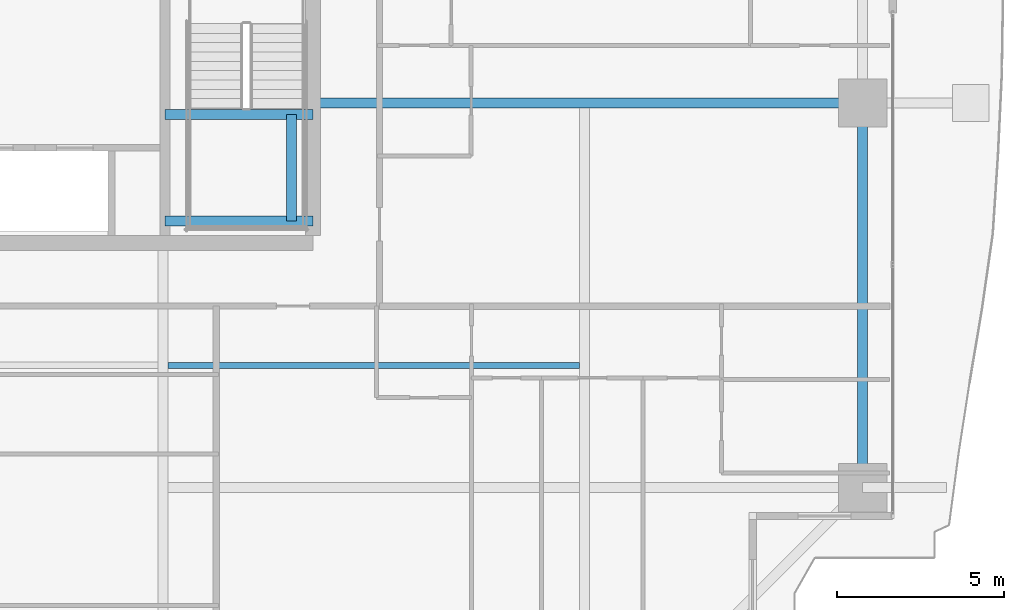
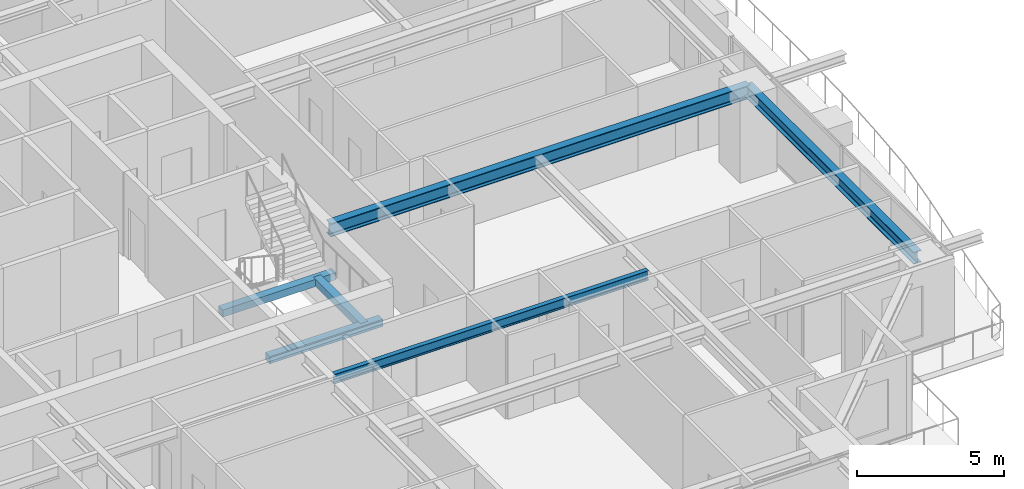
# One storey, part 14 of 39: 6 beams.
"""IFC4 building model written with IfcOpenShell, lengths in metres."""

import ifcopenshell
import ifcopenshell.guid

model = None  # the IFC model being written
_history = None  # IfcOwnerHistory: only IFC2X3 demands one
_inside = {}  # id of a spatial element -> (the spatial element, [elements in it])
_under = {}  # id of a project, library or spatial element -> (it, [spatial elements below it])
_declared = {}  # id of a project -> (the project, [libraries it declares])
_typed = {}  # id of a type object -> (the type object, [elements of that type])
_made_of = {}  # id of a material, layer set ... -> (it, [elements and type objects made of it])


def new_model(schema):
    """Start an empty IFC model of exactly this schema.

    Asked for "IFC4X3", IfcOpenShell would pick the latest addendum, in which some entities
    have other attributes; the version numbers below select the first issue.
    IFC2X3 requires an IfcOwnerHistory on every rooted entity: one is made here for all.
    """
    global model, _history
    if schema == "IFC4X3":
        model = ifcopenshell.file(schema_version=(4, 3, 0, 0))
    else:
        model = ifcopenshell.file(schema=schema)
    _inside.clear()
    _under.clear()
    _declared.clear()
    _typed.clear()
    _made_of.clear()
    _history = None
    if model.schema == "IFC2X3":
        org = make("IfcOrganization", Name="unknown")
        user = make(
            "IfcPersonAndOrganization",
            ThePerson=make("IfcPerson", FamilyName="unknown"),
            TheOrganization=org,
        )
        app = make(
            "IfcApplication",
            ApplicationDeveloper=org,
            Version="unknown",
            ApplicationFullName="unknown",
            ApplicationIdentifier="unknown",
        )
        _history = make(
            "IfcOwnerHistory",
            OwningUser=user,
            OwningApplication=app,
            ChangeAction="ADDED",
            CreationDate=0,
        )
    return model


def make(cls, **values):
    """One entity of the class cls with the attributes given. An attribute that is None is left unset."""
    return model.create_entity(
        cls, **{name: value for name, value in values.items() if value is not None}
    )


def rooted(cls, **values):
    """An entity with a GlobalId (a new one), such as an element, a storey or a relation."""
    return make(cls, GlobalId=ifcopenshell.guid.new(), OwnerHistory=_history, **values)


def si_unit(unit_type, name, prefix=None):
    """IfcSIUnit, for example si_unit("LENGTHUNIT", "METRE", prefix="MILLI")."""
    return make("IfcSIUnit", UnitType=unit_type, Prefix=prefix, Name=name)


def assignment(units):
    """IfcUnitAssignment: the units of a project."""
    return None if units is None else make("IfcUnitAssignment", Units=units)


def point(xyz):
    """IfcCartesianPoint."""
    return None if xyz is None else make("IfcCartesianPoint", Coordinates=xyz)


def direction(xyz):
    """IfcDirection."""
    return None if xyz is None else make("IfcDirection", DirectionRatios=xyz)


def frame(location, z_axis=None, x_axis=None):
    """IfcAxis2Placement3D, a coordinate frame: its origin and axes. An axis left out is left unset."""
    return make(
        "IfcAxis2Placement3D",
        Location=point(location),
        Axis=direction(z_axis),
        RefDirection=direction(x_axis),
    )


def frame_2d(location, x_axis=None):
    """IfcAxis2Placement2D, a coordinate frame in the plane: its origin and x axis."""
    return make(
        "IfcAxis2Placement2D", Location=point(location), RefDirection=direction(x_axis)
    )


def origin():
    """The frame at (0, 0, 0) with its axes left unset."""
    return frame((0.0, 0.0, 0.0))


def origin_2d():
    """The frame at (0, 0) in the plane with its x axis left unset."""
    return frame_2d((0.0, 0.0))


def place(relative_to, where):
    """IfcLocalPlacement: puts the frame where relative to a parent placement (None: the world)."""
    return make(
        "IfcLocalPlacement", PlacementRelTo=relative_to, RelativePlacement=where
    )


def context(
    kind, dimensions, precision=None, world=None, true_north=None, identifier=None
):
    """IfcGeometricRepresentationContext, for example the 3D "Model" context."""
    return make(
        "IfcGeometricRepresentationContext",
        ContextIdentifier=identifier,
        ContextType=kind,
        CoordinateSpaceDimension=dimensions,
        Precision=precision,
        WorldCoordinateSystem=world,
        TrueNorth=true_north,
    )


def subcontext(parent, identifier, kind, view, scale=None):
    """IfcGeometricRepresentationSubContext, for example "Body" below "Model"."""
    return make(
        "IfcGeometricRepresentationSubContext",
        ContextIdentifier=identifier,
        ContextType=kind,
        ParentContext=parent,
        TargetScale=scale,
        TargetView=view,
    )


def project(units=None, contexts=None):
    """IfcProject with its units and contexts."""
    return rooted(
        "IfcProject",
        Name="project",
        RepresentationContexts=contexts,
        UnitsInContext=assignment(units),
    )


def spatial(cls, under=None, at=None, **own):
    """A site, building, storey or space (cls), placed at a placement, below another one or the project."""
    s = rooted(cls, ObjectPlacement=at, **own)
    if under is not None:
        _under.setdefault(under.id(), (under, []))[1].append(s)
    return s


def profile(cls, at=None, kind="AREA", **sizes):
    """A parametric profile (cls). Its sizes go by their IFC names, for example OverallWidth=200.0."""
    return make(cls, ProfileType=kind, Position=at, **sizes)


def rectangle(**sizes):
    """IfcRectangleProfileDef."""
    return profile("IfcRectangleProfileDef", **sizes)


def i_section(**sizes):
    """IfcIShapeProfileDef."""
    return profile("IfcIShapeProfileDef", **sizes)


def extrude(swept, where, along, depth):
    """IfcExtrudedAreaSolid: the profile swept, set in the frame where, extruded along a direction by depth."""
    return make(
        "IfcExtrudedAreaSolid",
        SweptArea=swept,
        Position=where,
        ExtrudedDirection=direction(along),
        Depth=depth,
    )


def shape(context_of_items, identifier, shape_type, items):
    """IfcShapeRepresentation: the items that make up one representation, for example the "Body"."""
    return make(
        "IfcShapeRepresentation",
        ContextOfItems=context_of_items,
        RepresentationIdentifier=identifier,
        RepresentationType=shape_type,
        Items=items,
    )


def source(mapping_origin, context_of_items, identifier, shape_type, items):
    """IfcRepresentationMap: a shape defined once, which mapped items show again and again."""
    return make(
        "IfcRepresentationMap",
        MappingOrigin=mapping_origin,
        MappedRepresentation=shape(context_of_items, identifier, shape_type, items),
    )


def transform(
    local_origin,
    x_axis=None,
    y_axis=None,
    z_axis=None,
    scale=None,
    scale2=None,
    scale3=None,
    uniform=True,
):
    """IfcCartesianTransformationOperator3D, or its non-uniform kind. x_axis, y_axis, z_axis: its Axis1, 2, 3."""
    if uniform:
        return make(
            "IfcCartesianTransformationOperator3D",
            Axis1=direction(x_axis),
            Axis2=direction(y_axis),
            LocalOrigin=point(local_origin),
            Scale=scale,
            Axis3=direction(z_axis),
        )
    return make(
        "IfcCartesianTransformationOperator3DnonUniform",
        Axis1=direction(x_axis),
        Axis2=direction(y_axis),
        LocalOrigin=point(local_origin),
        Scale=scale,
        Axis3=direction(z_axis),
        Scale2=scale2,
        Scale3=scale3,
    )


def mapped(mapping_source, mapping_target):
    """IfcMappedItem: shows the shape of a source again, moved by a transform."""
    return make(
        "IfcMappedItem", MappingSource=mapping_source, MappingTarget=mapping_target
    )


def material(Name=None, Category=None):
    """IfcMaterial."""
    return make("IfcMaterial", Name=Name, Category=Category)


def material_profile(
    of_material, cross_section, Name=None, Category=None, Priority=None
):
    """IfcMaterialProfile: a cross section and its material."""
    return make(
        "IfcMaterialProfile",
        Name=Name,
        Material=of_material,
        Profile=cross_section,
        Priority=Priority,
        Category=Category,
    )


def profile_set(profiles, Name=None, composite=None):
    """IfcMaterialProfileSet."""
    return make(
        "IfcMaterialProfileSet",
        Name=Name,
        MaterialProfiles=profiles,
        CompositeProfile=composite,
    )


def made_of(thing, what):
    """Note that an element or type object is made of a material, layer set ...; save() writes the relation."""
    if what is not None:
        _made_of.setdefault(what.id(), (what, []))[1].append(thing)
    return thing


def type_object(cls, material=None, **own):
    """A type object (cls), such as IfcWallType, which elements share."""
    return made_of(rooted(cls, **own), material)


def element(
    cls,
    number,
    at=None,
    inside=None,
    cuts=None,
    type_object=None,
    material=None,
    context=None,
    identifier="Body",
    shape_type=None,
    held_by="IfcProductDefinitionShape",
    body=None,
    shapes=None,
    **own,
):
    """One element of the class cls, such as IfcWall. Its Tag is "e" and its number.

    at: its placement. inside: the storey or other place that contains it. cuts: it is an
    opening in that element (IfcRelVoidsElement). A single representation is given by context,
    identifier, shape_type and body (its items); several are given by shapes. held_by: the class
    of the entity that holds the representations. save() writes the other relations.
    """
    e = rooted(cls, Tag="e%d" % number, ObjectPlacement=at, **own)
    if body is not None:
        shapes = [shape(context, identifier, shape_type, body)]
    if shapes is not None:
        e.Representation = make(held_by, Representations=shapes)
    if inside is not None:
        _inside.setdefault(inside.id(), (inside, []))[1].append(e)
    if cuts is not None:
        rooted(
            "IfcRelVoidsElement", RelatingBuildingElement=cuts, RelatedOpeningElement=e
        )
    if type_object is not None:
        _typed.setdefault(type_object.id(), (type_object, []))[1].append(e)
    return made_of(e, material)


def aggregate(whole, parts):
    """IfcRelAggregates: a whole, such as a stair, and the parts it consists of."""
    return rooted("IfcRelAggregates", RelatingObject=whole, RelatedObjects=parts)


def save(model, path):
    """Write the relations noted so far, then the file.

    IfcRelAggregates (storeys below a building ...), IfcRelContainedInSpatialStructure (elements
    in a storey), IfcRelDefinesByType, IfcRelAssociatesMaterial and IfcRelDeclares: one each for
    every whole, place, type object, material and project.
    """
    for whole, parts in _under.values():
        aggregate(whole, parts)
    for where, things in _inside.values():
        rooted(
            "IfcRelContainedInSpatialStructure",
            RelatedElements=things,
            RelatingStructure=where,
        )
    for kind, things in _typed.values():
        rooted("IfcRelDefinesByType", RelatedObjects=things, RelatingType=kind)
    for what, things in _made_of.values():
        rooted("IfcRelAssociatesMaterial", RelatedObjects=things, RelatingMaterial=what)
    for by, libraries in _declared.values():
        rooted("IfcRelDeclares", RelatingContext=by, RelatedDefinitions=libraries)
    model.write(path)


model = new_model("IFC4")

# Units and contexts
model_context = context("Model", 3, precision=1e-05, world=origin(), true_north=direction((0.0, 1.0)))
body_context = subcontext(model_context, "Body", "Model", "MODEL_VIEW")
ifc_project = project(units=[si_unit("LENGTHUNIT", "METRE"), si_unit("AREAUNIT", "SQUARE_METRE"), si_unit("VOLUMEUNIT", "CUBIC_METRE"), si_unit("PLANEANGLEUNIT", "RADIAN"), si_unit("MASSUNIT", "GRAM", prefix="KILO")], contexts=[model_context])

# Site, building, storey
site_placement = place(None, origin())
site = spatial("IfcSite", under=ifc_project, at=site_placement, CompositionType="ELEMENT")
building_placement = place(site_placement, origin())
building = spatial("IfcBuilding", under=site, at=building_placement, Name="Serunith Strait Residences", CompositionType="ELEMENT")
storey_placement = place(building_placement, frame((0.0, 0.0, 64.199951171875)))
storey = spatial("IfcBuildingStorey", under=building, at=storey_placement, Name="L15", CompositionType="ELEMENT", Elevation=64.199951171875)

# Beams
ifc_material_1 = material(Name="Steel S355J2", Category="steel")
ifc_material_profile_1 = material_profile(ifc_material_1, i_section(OverallWidth=0.300048828125, OverallDepth=0.550048828125, WebThickness=0.014892578125, FlangeThickness=0.029052734375, FilletRadius=0.027099609375, at=origin_2d()), Name="HEB 550")
ifc_profile_set_1 = profile_set([ifc_material_profile_1], Name="Steel S355J2")
beam_type_1 = type_object("IfcBeamType", Name="BM-HEB550", PredefinedType="BEAM", material=ifc_profile_set_1)
shared_shape_1 = source(origin(), body_context, "Body", "SweptSolid", [
    extrude(i_section(OverallWidth=0.300048828125, OverallDepth=0.550048828125, WebThickness=0.014892578125, FlangeThickness=0.029052734375, FilletRadius=0.027099609375, at=origin_2d()), origin(), (0.0, 0.0, 1.0), 16.5),
])
beam_1_placement = place(storey_placement, frame((41.39990234375, 21.0, 3.212158203125), z_axis=(1.0, 0.0, 0.0), x_axis=(0.0, 1.0, 0.0)))
element("IfcBeam", 1, at=beam_1_placement, inside=storey, type_object=beam_type_1, Name="L15 Primary Floor Girder TC-E2", PredefinedType="BEAM", context=body_context, shape_type="MappedRepresentation", body=[
    mapped(shared_shape_1, transform((0.0, 0.0, 0.0), scale=1.0)),
])
ifc_material_profile_2 = material_profile(ifc_material_1, i_section(OverallWidth=0.300048828125, OverallDepth=0.5, WebThickness=0.014404296875, FlangeThickness=0.028076171875, FilletRadius=0.027099609375, at=origin_2d()), Name="HEB 500")
ifc_profile_set_2 = profile_set([ifc_material_profile_2], Name="Steel S355J2")
beam_type_2 = type_object("IfcBeamType", Name="BM-HEB500", PredefinedType="BEAM", material=ifc_profile_set_2)
shared_shape_2 = source(origin(), body_context, "Body", "SweptSolid", [
    extrude(i_section(OverallWidth=0.300048828125, OverallDepth=0.5, WebThickness=0.014404296875, FlangeThickness=0.028076171875, FilletRadius=0.027099609375, at=origin_2d()), origin(), (0.0, 0.0, 1.0), 11.550048828125),
])
beam_2_placement = place(storey_placement, frame((57.89990234375, 9.449951171875, 3.237060546875), z_axis=(0.0, 1.0, 0.0), x_axis=(-1.0, 0.0, 0.0)))
element("IfcBeam", 2, at=beam_2_placement, inside=storey, type_object=beam_type_2, Name="L15 Perimeter Ring Beam 05", PredefinedType="BEAM", context=body_context, shape_type="MappedRepresentation", body=[
    mapped(shared_shape_2, transform((0.0, 0.0, 0.0), scale=1.0)),
])
ifc_material_profile_3 = material_profile(ifc_material_1, i_section(OverallWidth=0.179931640625, OverallDepth=0.39990234375, WebThickness=0.008544921875, FlangeThickness=0.013427734375, FilletRadius=0.02099609375, at=origin_2d()), Name="IPE 400")
ifc_profile_set_3 = profile_set([ifc_material_profile_3], Name="Steel S355J2")
beam_type_3 = type_object("IfcBeamType", Name="BM-IPE400", PredefinedType="JOIST", material=ifc_profile_set_3)
shared_shape_3 = source(origin(), body_context, "Body", "SweptSolid", [
    extrude(i_section(OverallWidth=0.179931640625, OverallDepth=0.39990234375, WebThickness=0.008544921875, FlangeThickness=0.013427734375, FilletRadius=0.02099609375, at=origin_2d()), origin(), (0.0, 0.0, 1.0), 12.349853515625),
])
beam_3_placement = place(storey_placement, frame((37.050048828125, 13.125, 3.287109375), z_axis=(1.0, 0.0, 0.0), x_axis=(0.0, 1.0, 0.0)))
element("IfcBeam", 3, at=beam_3_placement, inside=storey, type_object=beam_type_3, Name="L15 Composite Floor Joist 03", PredefinedType="JOIST", context=body_context, shape_type="MappedRepresentation", body=[
    mapped(shared_shape_3, transform((0.0, 0.0, 0.0), scale=1.0)),
])
ifc_material_2 = material(Name="Concrete C60/75", Category="concrete")
ifc_material_profile_4 = material_profile(ifc_material_2, rectangle(XDim=0.300048828125, YDim=0.300048828125, at=origin_2d()), Name="RC 300x300")
ifc_profile_set_4 = profile_set([ifc_material_profile_4], Name="Concrete C60/75")
beam_type_4 = type_object("IfcBeamType", Name="BM-LAND-300x300", PredefinedType="BEAM", material=ifc_profile_set_4)
shared_shape_4 = source(origin(), body_context, "Body", "SweptSolid", [
    extrude(rectangle(XDim=0.300048828125, YDim=0.300048828125, at=origin_2d()), origin(), (0.0, 0.0, 1.0), 3.199951171875),
])
beam_4_placement = place(storey_placement, frame((40.75, 17.449951171875, 1.525146484375), z_axis=(0.0, 1.0, 0.0), x_axis=(-1.0, 0.0, 0.0)))
element("IfcBeam", 4, at=beam_4_placement, inside=storey, type_object=beam_type_4, Name="L15 ST-2 Landing Transverse Tie Beam", PredefinedType="BEAM", context=body_context, shape_type="MappedRepresentation", body=[
    mapped(shared_shape_4, transform((0.0, 0.0, 0.0), scale=1.0)),
])
shared_shape_5 = source(origin(), body_context, "Body", "SweptSolid", [
    extrude(rectangle(XDim=0.300048828125, YDim=0.300048828125, at=origin_2d()), origin(), (0.0, 0.0, 1.0), 4.449951171875),
])
for number, where, z_axis, x_axis, name in (
    (5, (36.949951171875, 17.449951171875, 1.525146484375), (1.0, 0.0, 0.0), (0.0, 1.0, 0.0), "L15 ST-2 Landing Support Beam 1"),
    (6, (36.949951171875, 20.64990234375, 1.525146484375), (1.0, 0.0, 0.0), (0.0, 1.0, 0.0), "L15 ST-2 Landing Support Beam 2"),
):
    element("IfcBeam", number, at=place(storey_placement, frame(where, z_axis=z_axis, x_axis=x_axis)), inside=storey, type_object=beam_type_4, Name=name, PredefinedType="BEAM", context=body_context, shape_type="MappedRepresentation", body=[
        mapped(shared_shape_5, transform((0.0, 0.0, 0.0), scale=1.0)),
    ])

save(model, "model.ifc")
